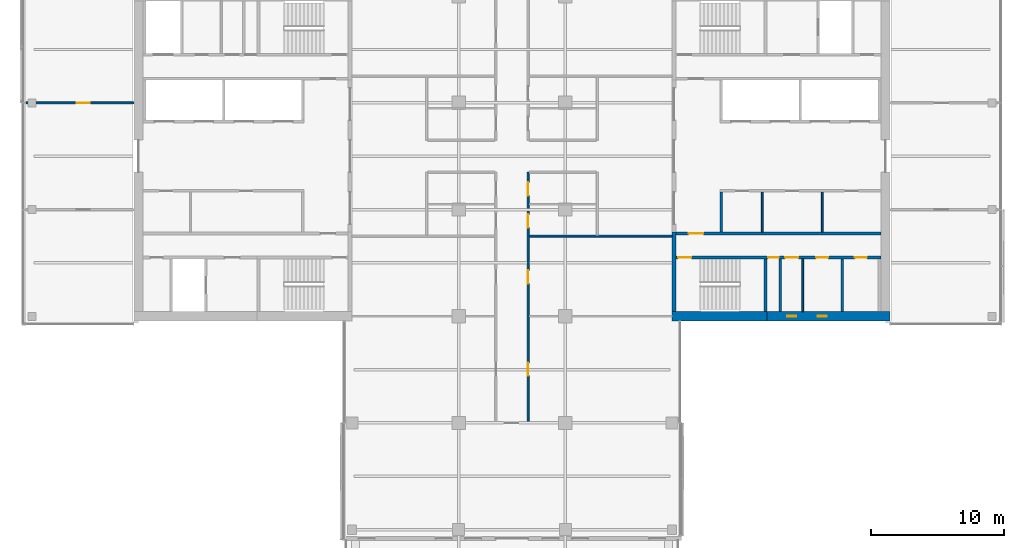
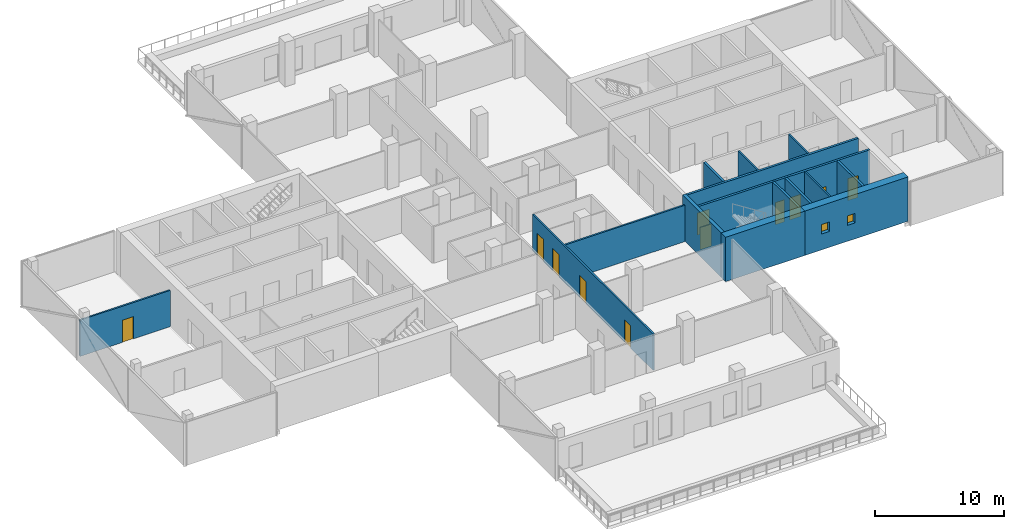
# One storey, part 16 of 24: 16 walls, 11 doors, 2 windows, 13 openings.
"""IFC4 building model written with IfcOpenShell, lengths in metres."""

import ifcopenshell
import ifcopenshell.guid

model = None  # the IFC model being written
_history = None  # IfcOwnerHistory: only IFC2X3 demands one
_inside = {}  # id of a spatial element -> (the spatial element, [elements in it])
_under = {}  # id of a project, library or spatial element -> (it, [spatial elements below it])
_declared = {}  # id of a project -> (the project, [libraries it declares])
_typed = {}  # id of a type object -> (the type object, [elements of that type])
_made_of = {}  # id of a material, layer set ... -> (it, [elements and type objects made of it])


def new_model(schema):
    """Start an empty IFC model of exactly this schema.

    Asked for "IFC4X3", IfcOpenShell would pick the latest addendum, in which some entities
    have other attributes; the version numbers below select the first issue.
    IFC2X3 requires an IfcOwnerHistory on every rooted entity: one is made here for all.
    """
    global model, _history
    if schema == "IFC4X3":
        model = ifcopenshell.file(schema_version=(4, 3, 0, 0))
    else:
        model = ifcopenshell.file(schema=schema)
    _inside.clear()
    _under.clear()
    _declared.clear()
    _typed.clear()
    _made_of.clear()
    _history = None
    if model.schema == "IFC2X3":
        org = make("IfcOrganization", Name="unknown")
        user = make(
            "IfcPersonAndOrganization",
            ThePerson=make("IfcPerson", FamilyName="unknown"),
            TheOrganization=org,
        )
        app = make(
            "IfcApplication",
            ApplicationDeveloper=org,
            Version="unknown",
            ApplicationFullName="unknown",
            ApplicationIdentifier="unknown",
        )
        _history = make(
            "IfcOwnerHistory",
            OwningUser=user,
            OwningApplication=app,
            ChangeAction="ADDED",
            CreationDate=0,
        )
    return model


def make(cls, **values):
    """One entity of the class cls with the attributes given. An attribute that is None is left unset."""
    return model.create_entity(
        cls, **{name: value for name, value in values.items() if value is not None}
    )


def rooted(cls, **values):
    """An entity with a GlobalId (a new one), such as an element, a storey or a relation."""
    return make(cls, GlobalId=ifcopenshell.guid.new(), OwnerHistory=_history, **values)


def si_unit(unit_type, name, prefix=None):
    """IfcSIUnit, for example si_unit("LENGTHUNIT", "METRE", prefix="MILLI")."""
    return make("IfcSIUnit", UnitType=unit_type, Prefix=prefix, Name=name)


def assignment(units):
    """IfcUnitAssignment: the units of a project."""
    return None if units is None else make("IfcUnitAssignment", Units=units)


def point(xyz):
    """IfcCartesianPoint."""
    return None if xyz is None else make("IfcCartesianPoint", Coordinates=xyz)


def direction(xyz):
    """IfcDirection."""
    return None if xyz is None else make("IfcDirection", DirectionRatios=xyz)


def frame(location, z_axis=None, x_axis=None):
    """IfcAxis2Placement3D, a coordinate frame: its origin and axes. An axis left out is left unset."""
    return make(
        "IfcAxis2Placement3D",
        Location=point(location),
        Axis=direction(z_axis),
        RefDirection=direction(x_axis),
    )


def frame_2d(location, x_axis=None):
    """IfcAxis2Placement2D, a coordinate frame in the plane: its origin and x axis."""
    return make(
        "IfcAxis2Placement2D", Location=point(location), RefDirection=direction(x_axis)
    )


def origin():
    """The frame at (0, 0, 0) with its axes left unset."""
    return frame((0.0, 0.0, 0.0))


def place(relative_to, where):
    """IfcLocalPlacement: puts the frame where relative to a parent placement (None: the world)."""
    return make(
        "IfcLocalPlacement", PlacementRelTo=relative_to, RelativePlacement=where
    )


def context(
    kind, dimensions, precision=None, world=None, true_north=None, identifier=None
):
    """IfcGeometricRepresentationContext, for example the 3D "Model" context."""
    return make(
        "IfcGeometricRepresentationContext",
        ContextIdentifier=identifier,
        ContextType=kind,
        CoordinateSpaceDimension=dimensions,
        Precision=precision,
        WorldCoordinateSystem=world,
        TrueNorth=true_north,
    )


def subcontext(parent, identifier, kind, view, scale=None):
    """IfcGeometricRepresentationSubContext, for example "Body" below "Model"."""
    return make(
        "IfcGeometricRepresentationSubContext",
        ContextIdentifier=identifier,
        ContextType=kind,
        ParentContext=parent,
        TargetScale=scale,
        TargetView=view,
    )


def project(units=None, contexts=None):
    """IfcProject with its units and contexts."""
    return rooted(
        "IfcProject",
        Name="project",
        RepresentationContexts=contexts,
        UnitsInContext=assignment(units),
    )


def spatial(cls, under=None, at=None, **own):
    """A site, building, storey or space (cls), placed at a placement, below another one or the project."""
    s = rooted(cls, ObjectPlacement=at, **own)
    if under is not None:
        _under.setdefault(under.id(), (under, []))[1].append(s)
    return s


def profile(cls, at=None, kind="AREA", **sizes):
    """A parametric profile (cls). Its sizes go by their IFC names, for example OverallWidth=200.0."""
    return make(cls, ProfileType=kind, Position=at, **sizes)


def rectangle(**sizes):
    """IfcRectangleProfileDef."""
    return profile("IfcRectangleProfileDef", **sizes)


def extrude(swept, where, along, depth):
    """IfcExtrudedAreaSolid: the profile swept, set in the frame where, extruded along a direction by depth."""
    return make(
        "IfcExtrudedAreaSolid",
        SweptArea=swept,
        Position=where,
        ExtrudedDirection=direction(along),
        Depth=depth,
    )


def shape(context_of_items, identifier, shape_type, items):
    """IfcShapeRepresentation: the items that make up one representation, for example the "Body"."""
    return make(
        "IfcShapeRepresentation",
        ContextOfItems=context_of_items,
        RepresentationIdentifier=identifier,
        RepresentationType=shape_type,
        Items=items,
    )


def material(Name=None, Category=None):
    """IfcMaterial."""
    return make("IfcMaterial", Name=Name, Category=Category)


def layer(
    of_material, thickness, ventilated=None, Name=None, Category=None, Priority=None
):
    """IfcMaterialLayer: one layer of a wall or slab, of a material (None: an air gap)."""
    return make(
        "IfcMaterialLayer",
        Material=of_material,
        LayerThickness=thickness,
        IsVentilated=ventilated,
        Name=Name,
        Category=Category,
        Priority=Priority,
    )


def layer_set(layers, Name=None):
    """IfcMaterialLayerSet."""
    return make("IfcMaterialLayerSet", MaterialLayers=layers, LayerSetName=Name)


def constituent(of_material, Name=None, Category=None, fraction=None):
    """IfcMaterialConstituent: one of the materials an element consists of."""
    return make(
        "IfcMaterialConstituent",
        Name=Name,
        Material=of_material,
        Fraction=fraction,
        Category=Category,
    )


def constituent_set(constituents=None, Name=None):
    """IfcMaterialConstituentSet."""
    return make(
        "IfcMaterialConstituentSet", Name=Name, MaterialConstituents=constituents
    )


def made_of(thing, what):
    """Note that an element or type object is made of a material, layer set ...; save() writes the relation."""
    if what is not None:
        _made_of.setdefault(what.id(), (what, []))[1].append(thing)
    return thing


def type_object(cls, material=None, **own):
    """A type object (cls), such as IfcWallType, which elements share."""
    return made_of(rooted(cls, **own), material)


def element(
    cls,
    number,
    at=None,
    inside=None,
    cuts=None,
    type_object=None,
    material=None,
    context=None,
    identifier="Body",
    shape_type=None,
    held_by="IfcProductDefinitionShape",
    body=None,
    shapes=None,
    **own,
):
    """One element of the class cls, such as IfcWall. Its Tag is "e" and its number.

    at: its placement. inside: the storey or other place that contains it. cuts: it is an
    opening in that element (IfcRelVoidsElement). A single representation is given by context,
    identifier, shape_type and body (its items); several are given by shapes. held_by: the class
    of the entity that holds the representations. save() writes the other relations.
    """
    e = rooted(cls, Tag="e%d" % number, ObjectPlacement=at, **own)
    if body is not None:
        shapes = [shape(context, identifier, shape_type, body)]
    if shapes is not None:
        e.Representation = make(held_by, Representations=shapes)
    if inside is not None:
        _inside.setdefault(inside.id(), (inside, []))[1].append(e)
    if cuts is not None:
        rooted(
            "IfcRelVoidsElement", RelatingBuildingElement=cuts, RelatedOpeningElement=e
        )
    if type_object is not None:
        _typed.setdefault(type_object.id(), (type_object, []))[1].append(e)
    return made_of(e, material)


def fill(opening, filler):
    """IfcRelFillsElement: the door or window that sits in an opening."""
    return rooted(
        "IfcRelFillsElement",
        RelatingOpeningElement=opening,
        RelatedBuildingElement=filler,
    )


def aggregate(whole, parts):
    """IfcRelAggregates: a whole, such as a stair, and the parts it consists of."""
    return rooted("IfcRelAggregates", RelatingObject=whole, RelatedObjects=parts)


def save(model, path):
    """Write the relations noted so far, then the file.

    IfcRelAggregates (storeys below a building ...), IfcRelContainedInSpatialStructure (elements
    in a storey), IfcRelDefinesByType, IfcRelAssociatesMaterial and IfcRelDeclares: one each for
    every whole, place, type object, material and project.
    """
    for whole, parts in _under.values():
        aggregate(whole, parts)
    for where, things in _inside.values():
        rooted(
            "IfcRelContainedInSpatialStructure",
            RelatedElements=things,
            RelatingStructure=where,
        )
    for kind, things in _typed.values():
        rooted("IfcRelDefinesByType", RelatedObjects=things, RelatingType=kind)
    for what, things in _made_of.values():
        rooted("IfcRelAssociatesMaterial", RelatedObjects=things, RelatingMaterial=what)
    for by, libraries in _declared.values():
        rooted("IfcRelDeclares", RelatingContext=by, RelatedDefinitions=libraries)
    model.write(path)


model = new_model("IFC4")

# Units and contexts
model_context = context("Model", 3, precision=1e-05, world=origin(), true_north=direction((0.0, 1.0)))
body_context = subcontext(model_context, "Body", "Model", "MODEL_VIEW")
ifc_project = project(units=[si_unit("LENGTHUNIT", "METRE"), si_unit("AREAUNIT", "SQUARE_METRE"), si_unit("VOLUMEUNIT", "CUBIC_METRE"), si_unit("PLANEANGLEUNIT", "RADIAN"), si_unit("MASSUNIT", "GRAM", prefix="KILO")], contexts=[model_context])

# Site, building, storey
site_placement = place(None, origin())
site = spatial("IfcSite", under=ifc_project, at=site_placement, CompositionType="ELEMENT")
building_placement = place(site_placement, origin())
building = spatial("IfcBuilding", under=site, at=building_placement, Name="Crosswind Convention Tower", CompositionType="ELEMENT")
storey_placement = place(building_placement, frame((0.0, 0.0, 112.699951171875)))
storey = spatial("IfcBuildingStorey", under=building, at=storey_placement, Name="L22", CompositionType="ELEMENT", Elevation=112.699951171875)

# Walls
ifc_material_1 = material(Name="Concrete blockwork", Category="masonry")
ifc_layer_1 = layer(ifc_material_1, 0.199951171875)
ifc_layer_set_1 = layer_set([ifc_layer_1], Name="Blockwork partition wall 200")
wall_type_1 = type_object("IfcWallType", Name="Blockwork partition wall 200", PredefinedType="PARTITIONING", material=ifc_layer_set_1)
wall_1_placement = place(storey_placement, frame((145.10009765625, 88.35009765625, 0.0), z_axis=(0.0, 0.0, 1.0), x_axis=(0.0, 1.0, 0.0)))
element("IfcWall", 1, at=wall_1_placement, inside=storey, type_object=wall_type_1, Name="Wall MRSE E L22", PredefinedType="PARTITIONING", context=body_context, shape_type="SweptSolid", body=[
    extrude(rectangle(XDim=3.949951171875, YDim=0.199951171875, at=frame_2d((1.97509765625, 0.0))), origin(), (0.0, 0.0, 1.0), 4.199951171875),
])
ifc_material_2 = material(Name="Concrete C50/60", Category="concrete")
ifc_layer_2 = layer(ifc_material_2, 0.300048828125)
ifc_layer_set_2 = layer_set([ifc_layer_2], Name="Concrete C50/60")
wall_type_2 = type_object("IfcWallType", Name="Concrete inner core wall 300", PredefinedType="SHEAR", material=ifc_layer_set_2)
wall_2_placement = place(storey_placement, frame((137.14990234375, 88.35009765625, 0.0), z_axis=(0.0, 0.0, 1.0), x_axis=(0.0, 1.0, 0.0)))
element("IfcWall", 2, at=wall_2_placement, inside=storey, type_object=wall_type_2, Name="Wall EM E L22", PredefinedType="SHEAR", context=body_context, shape_type="SweptSolid", body=[
    extrude(rectangle(XDim=5.949951171875, YDim=0.300048828125, at=frame_2d((2.97509765625, 0.0))), origin(), (0.0, 0.0, 1.0), 4.199951171875),
])
ifc_layer_3 = layer(ifc_material_2, 0.199951171875)
ifc_layer_set_3 = layer_set([ifc_layer_3], Name="Concrete C50/60")
wall_type_3 = type_object("IfcWallType", Name="Concrete shaft and stair wall 200", PredefinedType="SHEAR", material=ifc_layer_set_3)
wall_3_placement = place(storey_placement, frame((140.699951171875, 94.300048828125, 0.0), z_axis=(0.0, 0.0, 1.0), x_axis=(0.0, 1.0, 0.0)))
element("IfcWall", 3, at=wall_3_placement, inside=storey, type_object=wall_type_3, Name="Wall RMEND E L22", PredefinedType="SHEAR", context=body_context, shape_type="SweptSolid", body=[
    extrude(rectangle(XDim=3.0, YDim=0.199951171875, at=frame_2d((1.5, 0.0))), origin(), (0.0, 0.0, 1.0), 4.199951171875),
])

# Wall, opening, door
wall_4_placement = place(storey_placement, frame((137.300048828125, 94.199951171875, 0.0), z_axis=(0.0, 0.0, 1.0), x_axis=(1.0, 0.0, 0.0)))
wall_4 = element("IfcWall", 4, at=wall_4_placement, inside=storey, type_object=wall_type_3, Name="Wall HM E L22", PredefinedType="SHEAR", context=body_context, shape_type="SweptSolid", body=[
    extrude(rectangle(XDim=15.349853515625, YDim=0.199951171875, at=frame_2d((7.6748046875, 0.0))), origin(), (0.0, 0.0, 1.0), 4.199951171875),
])
opening_1_placement = place(wall_4_placement, frame((0.949951171875, 0.0, 0.0)))
opening_1 = element("IfcOpeningElement", 5, at=opening_1_placement, cuts=wall_4, Name="Opening D104", PredefinedType="OPENING", context=body_context, shape_type="SweptSolid", body=[
    extrude(rectangle(XDim=1.10009765625, YDim=2.10009765625, at=frame_2d((0.550048828125, 1.050048828125))), frame((0.0, 0.10986328125, 0.0), z_axis=(0.0, -1.0, 0.0), x_axis=(1.0, 0.0, 0.0)), (0.0, 0.0, 1.0), 0.219970703125),
])
ifc_material_3 = material(Name="Steel fire door", Category="steel")
door_type_1 = type_object("IfcDoorType", Name="Fire-rated single door 1100x2100", OperationType="NOTDEFINED", PredefinedType="DOOR", material=ifc_material_3)
door_1_placement = place(opening_1_placement, origin())
door_1 = element("IfcDoor", 6, at=door_1_placement, inside=storey, type_object=door_type_1, Name="Corridor door L22", ObjectType="D104", OperationType="SINGLE_SWING_LEFT", OverallHeight=2.10009765625, OverallWidth=1.10009765625, PredefinedType="DOOR", context=body_context, shape_type="SweptSolid", body=[
    extrude(rectangle(XDim=1.10009765625, YDim=2.10009765625, at=frame_2d((0.550048828125, 1.050048828125))), frame((0.0, 0.02490234375, 0.0), z_axis=(0.0, -1.0, 0.0), x_axis=(1.0, 0.0, 0.0)), (0.0, 0.0, 1.0), 0.050048828125),
])
fill(opening_1, door_1)

# Walls
for number, where, z_axis, x_axis, name in (
    (7, (144.0, 88.35009765625, 0.0), (0.0, 0.0, 1.0), (0.0, 1.0, 0.0), "Wall MSE E L22"),
    (8, (149.75, 88.35009765625, 0.0), (0.0, 0.0, 1.0), (0.0, 1.0, 0.0), "Wall MFSW E L22"),
):
    element("IfcWall", number, at=place(storey_placement, frame(where, z_axis=z_axis, x_axis=x_axis)), inside=storey, type_object=wall_type_3, Name=name, PredefinedType="SHEAR", context=body_context, shape_type="SweptSolid", body=[
        extrude(rectangle(XDim=3.949951171875, YDim=0.199951171875, at=frame_2d((1.97509765625, 0.0))), origin(), (0.0, 0.0, 1.0), 4.199951171875),
    ])

# Wall, opening, door
wall_5_placement = place(storey_placement, frame((137.300048828125, 92.39990234375, 0.0), z_axis=(0.0, 0.0, 1.0), x_axis=(1.0, 0.0, 0.0)))
wall_5 = element("IfcWall", 9, at=wall_5_placement, inside=storey, type_object=wall_type_3, Name="Wall MCW E L22", PredefinedType="SHEAR", context=body_context, shape_type="SweptSolid", body=[
    extrude(rectangle(XDim=6.800048828125, YDim=0.199951171875, at=frame_2d((3.39990234375, 0.0))), origin(), (0.0, 0.0, 1.0), 4.199951171875),
])
opening_2_placement = place(wall_5_placement, frame((0.14990234375, 0.0, 0.0)))
opening_2 = element("IfcOpeningElement", 10, at=opening_2_placement, cuts=wall_5, Name="Opening D103", PredefinedType="OPENING", context=body_context, shape_type="SweptSolid", body=[
    extrude(rectangle(XDim=1.0, YDim=2.10009765625, at=frame_2d((0.5, 1.050048828125))), frame((0.0, 0.10986328125, 0.0), z_axis=(0.0, -1.0, 0.0), x_axis=(1.0, 0.0, 0.0)), (0.0, 0.0, 1.0), 0.219970703125),
])
door_type_2 = type_object("IfcDoorType", Name="Fire-rated single door 1000x2100", OperationType="NOTDEFINED", PredefinedType="DOOR", material=ifc_material_3)
door_2_placement = place(opening_2_placement, frame((1.0, 0.0, 0.0), z_axis=(0.0, 0.0, 1.0), x_axis=(-1.0, 0.0, 0.0)))
door_2 = element("IfcDoor", 11, at=door_2_placement, inside=storey, type_object=door_type_2, Name="Stair ST2 door L22", ObjectType="D103", OperationType="SINGLE_SWING_RIGHT", OverallHeight=2.10009765625, OverallWidth=1.0, PredefinedType="DOOR", context=body_context, shape_type="SweptSolid", body=[
    extrude(rectangle(XDim=1.0, YDim=2.10009765625, at=frame_2d((0.5, 1.050048828125))), frame((0.0, 0.02490234375, 0.0), z_axis=(0.0, -1.0, 0.0), x_axis=(1.0, 0.0, 0.0)), (0.0, 0.0, 1.0), 0.050048828125),
])
fill(opening_2, door_2)

# Wall, openings, doors
wall_6_placement = place(storey_placement, frame((144.10009765625, 92.39990234375, 0.0), z_axis=(0.0, 0.0, 1.0), x_axis=(1.0, 0.0, 0.0)))
wall_6 = element("IfcWall", 12, at=wall_6_placement, inside=storey, type_object=wall_type_3, Name="Wall MCX E L22", PredefinedType="SHEAR", context=body_context, shape_type="SweptSolid", body=[
    extrude(rectangle(XDim=8.5498046875, YDim=0.199951171875, at=frame_2d((4.27490234375, 0.0))), origin(), (0.0, 0.0, 1.0), 4.199951171875),
])
opening_3_placement = place(wall_6_placement, frame((0.10009765625, 0.0, 0.0)))
opening_3 = element("IfcOpeningElement", 13, at=opening_3_placement, cuts=wall_6, Name="Opening D105", PredefinedType="OPENING", context=body_context, shape_type="SweptSolid", body=[
    extrude(rectangle(XDim=0.800048828125, YDim=2.10009765625, at=frame_2d((0.39990234375, 1.050048828125))), frame((0.0, 0.10986328125, 0.0), z_axis=(0.0, -1.0, 0.0), x_axis=(1.0, 0.0, 0.0)), (0.0, 0.0, 1.0), 0.219970703125),
])
opening_4_placement = place(wall_6_placement, frame((1.36962890625, 0.0, 0.0)))
opening_4 = element("IfcOpeningElement", 14, at=opening_4_placement, cuts=wall_6, Name="Opening D103", PredefinedType="OPENING", context=body_context, shape_type="SweptSolid", body=[
    extrude(rectangle(XDim=1.0, YDim=2.10009765625, at=frame_2d((0.5, 1.050048828125))), frame((0.0, 0.10986328125, 0.0), z_axis=(0.0, -1.0, 0.0), x_axis=(1.0, 0.0, 0.0)), (0.0, 0.0, 1.0), 0.219970703125),
])
opening_5_placement = place(wall_6_placement, frame((3.707275390625, 0.0, 0.0)))
opening_5 = element("IfcOpeningElement", 15, at=opening_5_placement, cuts=wall_6, Name="Opening D106", PredefinedType="OPENING", context=body_context, shape_type="SweptSolid", body=[
    extrude(rectangle(XDim=0.89990234375, YDim=2.10009765625, at=frame_2d((0.449951171875, 1.050048828125))), frame((0.0, 0.10986328125, 0.0), z_axis=(0.0, -1.0, 0.0), x_axis=(1.0, 0.0, 0.0)), (0.0, 0.0, 1.0), 0.219970703125),
])
opening_6_placement = place(wall_6_placement, frame((6.60009765625, 0.0, 0.0)))
opening_6 = element("IfcOpeningElement", 16, at=opening_6_placement, cuts=wall_6, Name="Opening D106", PredefinedType="OPENING", context=body_context, shape_type="SweptSolid", body=[
    extrude(rectangle(XDim=0.89990234375, YDim=2.10009765625, at=frame_2d((0.449951171875, 1.050048828125))), frame((0.0, 0.10986328125, 0.0), z_axis=(0.0, -1.0, 0.0), x_axis=(1.0, 0.0, 0.0)), (0.0, 0.0, 1.0), 0.219970703125),
])
door_3_placement = place(opening_4_placement, frame((1.0, 0.0, 0.0), z_axis=(0.0, 0.0, 1.0), x_axis=(-1.0, 0.0, 0.0)))
door_3 = element("IfcDoor", 17, at=door_3_placement, inside=storey, type_object=door_type_2, Name="Door to accessible wc L22", ObjectType="D103", OperationType="SINGLE_SWING_LEFT", OverallHeight=2.10009765625, OverallWidth=1.0, PredefinedType="DOOR", context=body_context, shape_type="SweptSolid", body=[
    extrude(rectangle(XDim=1.0, YDim=2.10009765625, at=frame_2d((0.5, 1.050048828125))), frame((0.0, 0.02490234375, 0.0), z_axis=(0.0, -1.0, 0.0), x_axis=(1.0, 0.0, 0.0)), (0.0, 0.0, 1.0), 0.050048828125),
])
fill(opening_4, door_3)
door_type_3 = type_object("IfcDoorType", Name="Riser access door 800x2100", OperationType="NOTDEFINED", PredefinedType="DOOR", material=ifc_material_3)
door_4_placement = place(opening_3_placement, frame((0.800048828125, 0.0, 0.0), z_axis=(0.0, 0.0, 1.0), x_axis=(-1.0, 0.0, 0.0)))
door_4 = element("IfcDoor", 18, at=door_4_placement, inside=storey, type_object=door_type_3, Name="Riser door L22", ObjectType="D105", OperationType="SINGLE_SWING_LEFT", OverallHeight=2.10009765625, OverallWidth=0.800048828125, PredefinedType="DOOR", context=body_context, shape_type="SweptSolid", body=[
    extrude(rectangle(XDim=0.800048828125, YDim=2.10009765625, at=frame_2d((0.39990234375, 1.050048828125))), frame((0.0, 0.02490234375, 0.0), z_axis=(0.0, -1.0, 0.0), x_axis=(1.0, 0.0, 0.0)), (0.0, 0.0, 1.0), 0.050048828125),
])
fill(opening_3, door_4)
ifc_material_4 = material(Name="Timber door", Category="wood")
door_type_4 = type_object("IfcDoorType", Name="Single leaf door 900x2100", OperationType="NOTDEFINED", PredefinedType="DOOR", material=ifc_material_4)
door_5_placement = place(opening_5_placement, frame((0.89990234375, 0.0, 0.0), z_axis=(0.0, 0.0, 1.0), x_axis=(-1.0, 0.0, 0.0)))
door_5 = element("IfcDoor", 19, at=door_5_placement, inside=storey, type_object=door_type_4, Name="Door to wc L22", ObjectType="D106", OperationType="SINGLE_SWING_LEFT", OverallHeight=2.10009765625, OverallWidth=0.89990234375, PredefinedType="DOOR", context=body_context, shape_type="SweptSolid", body=[
    extrude(rectangle(XDim=0.89990234375, YDim=2.10009765625, at=frame_2d((0.449951171875, 1.050048828125))), frame((0.0, 0.02490234375, 0.0), z_axis=(0.0, -1.0, 0.0), x_axis=(1.0, 0.0, 0.0)), (0.0, 0.0, 1.0), 0.050048828125),
])
fill(opening_5, door_5)
door_6_placement = place(opening_6_placement, frame((0.89990234375, 0.0, 0.0), z_axis=(0.0, 0.0, 1.0), x_axis=(-1.0, 0.0, 0.0)))
door_6 = element("IfcDoor", 20, at=door_6_placement, inside=storey, type_object=door_type_4, Name="Door to wc L22", ObjectType="D106", OperationType="SINGLE_SWING_LEFT", OverallHeight=2.10009765625, OverallWidth=0.89990234375, PredefinedType="DOOR", context=body_context, shape_type="SweptSolid", body=[
    extrude(rectangle(XDim=0.89990234375, YDim=2.10009765625, at=frame_2d((0.449951171875, 1.050048828125))), frame((0.0, 0.02490234375, 0.0), z_axis=(0.0, -1.0, 0.0), x_axis=(1.0, 0.0, 0.0)), (0.0, 0.0, 1.0), 0.050048828125),
])
fill(opening_6, door_6)

# Walls
ifc_material_5 = material(Name="Gypsum plasterboard partition", Category="gypsum")
ifc_layer_4 = layer(ifc_material_5, 0.125)
ifc_layer_set_4 = layer_set([ifc_layer_4], Name="Drywall partition wall 125")
wall_type_4 = type_object("IfcWallType", Name="Drywall partition wall 125", PredefinedType="PARTITIONING", material=ifc_layer_set_4)
for number, where, z_axis, x_axis, name in (
    (21, (143.762451171875, 94.300048828125, 0.0), (0.0, 0.0, 1.0), (0.0, 1.0, 0.0), "Wall RMP1 E L22"),
    (22, (148.265380859375, 94.300048828125, 0.0), (0.0, 0.0, 1.0), (0.0, 1.0, 0.0), "Wall RMP2 E L22"),
):
    element("IfcWall", number, at=place(storey_placement, frame(where, z_axis=z_axis, x_axis=x_axis)), inside=storey, type_object=wall_type_4, Name=name, PredefinedType="PARTITIONING", context=body_context, shape_type="SweptSolid", body=[
        extrude(rectangle(XDim=3.0, YDim=0.125, at=frame_2d((1.5, 0.0))), origin(), (0.0, 0.0, 1.0), 4.199951171875),
    ])
wall_7_placement = place(storey_placement, frame((146.802001953125, 88.35009765625, 0.0), z_axis=(0.0, 0.0, 1.0), x_axis=(0.0, 1.0, 0.0)))
element("IfcWall", 23, at=wall_7_placement, inside=storey, type_object=wall_type_4, Name="Wall MWP1 E L22", PredefinedType="PARTITIONING", context=body_context, shape_type="SweptSolid", body=[
    extrude(rectangle(XDim=3.949951171875, YDim=0.125, at=frame_2d((1.97509765625, 0.0))), origin(), (0.0, 0.0, 1.0), 4.199951171875),
])

# Wall, openings, doors
ifc_material_6 = material(Name="Fire-board partition with mineral wool", Category="gypsum")
ifc_layer_5 = layer(ifc_material_6, 0.14990234375)
ifc_layer_set_5 = layer_set([ifc_layer_5], Name="TENANCY WALL 150 TWO-HOUR BOARD")
wall_type_5 = type_object("IfcWallType", Name="TENANCY WALL 150 TWO-HOUR BOARD", PredefinedType="PARTITIONING", material=ifc_layer_set_5)
wall_8_placement = place(storey_placement, frame((126.199951171875, 80.074951171875, 0.0), z_axis=(0.0, 0.0, 1.0), x_axis=(0.0, 1.0, 0.0)))
wall_8 = element("IfcWall", 24, at=wall_8_placement, inside=storey, type_object=wall_type_5, Name="Tenancy wall WT41", PredefinedType="PARTITIONING", context=body_context, shape_type="SweptSolid", body=[
    extrude(rectangle(XDim=18.72509765625, YDim=0.14990234375, at=frame_2d((9.362548828125, 0.0))), origin(), (0.0, 0.0, 1.0), 3.4365234375),
])
opening_7_placement = place(wall_8_placement, frame((16.97509765625, 0.0, 0.0)))
opening_7 = element("IfcOpeningElement", 25, at=opening_7_placement, cuts=wall_8, Name="Opening L22-53", PredefinedType="OPENING", context=body_context, shape_type="SweptSolid", body=[
    extrude(rectangle(XDim=1.0, YDim=2.10009765625, at=frame_2d((0.5, 1.050048828125))), frame((0.0, 0.0849609375, 0.0), z_axis=(0.0, -1.0, 0.0), x_axis=(1.0, 0.0, 0.0)), (0.0, 0.0, 1.0), 0.169921875),
])
opening_8_placement = place(wall_8_placement, frame((14.574951171875, 0.0, 0.0)))
opening_8 = element("IfcOpeningElement", 26, at=opening_8_placement, cuts=wall_8, Name="Opening L22-54", PredefinedType="OPENING", context=body_context, shape_type="SweptSolid", body=[
    extrude(rectangle(XDim=1.0, YDim=2.10009765625, at=frame_2d((0.5, 1.050048828125))), frame((0.0, 0.0849609375, 0.0), z_axis=(0.0, -1.0, 0.0), x_axis=(1.0, 0.0, 0.0)), (0.0, 0.0, 1.0), 0.169921875),
])
opening_9_placement = place(wall_8_placement, frame((10.375, 0.0, 0.0)))
opening_9 = element("IfcOpeningElement", 27, at=opening_9_placement, cuts=wall_8, Name="Opening L22-55", PredefinedType="OPENING", context=body_context, shape_type="SweptSolid", body=[
    extrude(rectangle(XDim=1.0, YDim=2.10009765625, at=frame_2d((0.5, 1.050048828125))), frame((0.0, 0.0849609375, 0.0), z_axis=(0.0, -1.0, 0.0), x_axis=(1.0, 0.0, 0.0)), (0.0, 0.0, 1.0), 0.169921875),
])
opening_10_placement = place(wall_8_placement, frame((3.449951171875, 0.0, 0.0)))
opening_10 = element("IfcOpeningElement", 28, at=opening_10_placement, cuts=wall_8, Name="Opening L22-56", PredefinedType="OPENING", context=body_context, shape_type="SweptSolid", body=[
    extrude(rectangle(XDim=1.0, YDim=2.10009765625, at=frame_2d((0.5, 1.050048828125))), frame((0.0, 0.0849609375, 0.0), z_axis=(0.0, -1.0, 0.0), x_axis=(1.0, 0.0, 0.0)), (0.0, 0.0, 1.0), 0.169921875),
])
ifc_material_7 = material(Name="Timber fire door", Category="wood")
door_type_5 = type_object("IfcDoorType", Name="TENANCY ENTRANCE DOOR 1000X2100 FD30S", OperationType="NOTDEFINED", PredefinedType="DOOR", material=ifc_material_7)
door_7_placement = place(opening_7_placement, frame((1.0, 0.0, 0.0), z_axis=(0.0, 0.0, 1.0), x_axis=(-1.0, 0.0, 0.0)))
door_7 = element("IfcDoor", 29, at=door_7_placement, inside=storey, type_object=door_type_5, Name="Door L22-53", ObjectType="D41", OperationType="SINGLE_SWING_RIGHT", OverallHeight=2.10009765625, OverallWidth=1.0, PredefinedType="DOOR", context=body_context, shape_type="SweptSolid", body=[
    extrude(rectangle(XDim=1.0, YDim=2.10009765625, at=frame_2d((0.5, 1.050048828125))), frame((0.0, 0.02490234375, 0.0), z_axis=(0.0, -1.0, 0.0), x_axis=(1.0, 0.0, 0.0)), (0.0, 0.0, 1.0), 0.050048828125),
])
fill(opening_7, door_7)
door_8_placement = place(opening_8_placement, frame((1.0, 0.0, 0.0), z_axis=(0.0, 0.0, 1.0), x_axis=(-1.0, 0.0, 0.0)))
door_8 = element("IfcDoor", 30, at=door_8_placement, inside=storey, type_object=door_type_5, Name="Door L22-54", ObjectType="D41", OperationType="SINGLE_SWING_RIGHT", OverallHeight=2.10009765625, OverallWidth=1.0, PredefinedType="DOOR", context=body_context, shape_type="SweptSolid", body=[
    extrude(rectangle(XDim=1.0, YDim=2.10009765625, at=frame_2d((0.5, 1.050048828125))), frame((0.0, 0.02490234375, 0.0), z_axis=(0.0, -1.0, 0.0), x_axis=(1.0, 0.0, 0.0)), (0.0, 0.0, 1.0), 0.050048828125),
])
fill(opening_8, door_8)
door_9_placement = place(opening_9_placement, frame((1.0, 0.0, 0.0), z_axis=(0.0, 0.0, 1.0), x_axis=(-1.0, 0.0, 0.0)))
door_9 = element("IfcDoor", 31, at=door_9_placement, inside=storey, type_object=door_type_5, Name="Door L22-55", ObjectType="D41", OperationType="SINGLE_SWING_RIGHT", OverallHeight=2.10009765625, OverallWidth=1.0, PredefinedType="DOOR", context=body_context, shape_type="SweptSolid", body=[
    extrude(rectangle(XDim=1.0, YDim=2.10009765625, at=frame_2d((0.5, 1.050048828125))), frame((0.0, 0.02490234375, 0.0), z_axis=(0.0, -1.0, 0.0), x_axis=(1.0, 0.0, 0.0)), (0.0, 0.0, 1.0), 0.050048828125),
])
fill(opening_9, door_9)
door_10_placement = place(opening_10_placement, frame((1.0, 0.0, 0.0), z_axis=(0.0, 0.0, 1.0), x_axis=(-1.0, 0.0, 0.0)))
door_10 = element("IfcDoor", 32, at=door_10_placement, inside=storey, type_object=door_type_5, Name="Door L22-56", ObjectType="D41", OperationType="SINGLE_SWING_LEFT", OverallHeight=2.10009765625, OverallWidth=1.0, PredefinedType="DOOR", context=body_context, shape_type="SweptSolid", body=[
    extrude(rectangle(XDim=1.0, YDim=2.10009765625, at=frame_2d((0.5, 1.050048828125))), frame((0.0, 0.02490234375, 0.0), z_axis=(0.0, -1.0, 0.0), x_axis=(1.0, 0.0, 0.0)), (0.0, 0.0, 1.0), 0.050048828125),
])
fill(opening_10, door_10)

# Wall
wall_9_placement = place(storey_placement, frame((126.27490234375, 94.0, 0.0), z_axis=(0.0, 0.0, 1.0), x_axis=(1.0, 0.0, 0.0)))
element("IfcWall", 33, at=wall_9_placement, inside=storey, type_object=wall_type_5, Name="Tenancy wall WT41", PredefinedType="PARTITIONING", context=body_context, shape_type="SweptSolid", body=[
    extrude(rectangle(XDim=10.72509765625, YDim=0.14990234375, at=frame_2d((5.362548828125, 0.0))), origin(), (0.0, 0.0, 1.0), 3.4365234375),
])

# Wall, opening, door
wall_10_placement = place(storey_placement, frame((88.580078125, 104.0, 0.0), z_axis=(0.0, 0.0, 1.0), x_axis=(1.0, 0.0, 0.0)))
wall_10 = element("IfcWall", 34, at=wall_10_placement, inside=storey, type_object=wall_type_5, Name="Tenancy wall WT41", PredefinedType="PARTITIONING", context=body_context, shape_type="SweptSolid", body=[
    extrude(rectangle(XDim=8.06982421875, YDim=0.14990234375, at=frame_2d((4.034912109375, 0.0))), origin(), (0.0, 0.0, 1.0), 3.4365234375),
])
opening_11_placement = place(wall_10_placement, frame((3.77001953125, 0.0, 0.0)))
opening_11 = element("IfcOpeningElement", 35, at=opening_11_placement, cuts=wall_10, Name="Opening L22-70", PredefinedType="OPENING", context=body_context, shape_type="SweptSolid", body=[
    extrude(rectangle(XDim=1.0, YDim=2.10009765625, at=frame_2d((0.5, 1.050048828125))), frame((0.0, 0.0849609375, 0.0), z_axis=(0.0, -1.0, 0.0), x_axis=(1.0, 0.0, 0.0)), (0.0, 0.0, 1.0), 0.169921875),
])
door_11_placement = place(opening_11_placement, origin())
door_11 = element("IfcDoor", 36, at=door_11_placement, inside=storey, type_object=door_type_5, Name="Door L22-70", ObjectType="D41", OperationType="SINGLE_SWING_LEFT", OverallHeight=2.10009765625, OverallWidth=1.0, PredefinedType="DOOR", context=body_context, shape_type="SweptSolid", body=[
    extrude(rectangle(XDim=1.0, YDim=2.10009765625, at=frame_2d((0.5, 1.050048828125))), frame((0.0, 0.02490234375, 0.0), z_axis=(0.0, -1.0, 0.0), x_axis=(1.0, 0.0, 0.0)), (0.0, 0.0, 1.0), 0.050048828125),
])
fill(opening_11, door_11)

# Wall
ifc_material_8 = material(Name="Concrete C60/75", Category="concrete")
ifc_constituent_1 = constituent(ifc_material_8, Name="Structure")
ifc_material_9 = material(Name="Terracotta rainscreen", Category="ceramic")
ifc_constituent_2 = constituent(ifc_material_9, Name="Facing")
ifc_constituent_set = constituent_set(constituents=[ifc_constituent_1, ifc_constituent_2], Name="Concrete C60/75, Terracotta rainscreen")
wall_type_6 = type_object("IfcWallType", Name="Terracotta rainscreen on concrete core wall 700", PredefinedType="SHEAR", material=ifc_constituent_set)
wall_11_placement = place(storey_placement, frame((137.0, 88.0, 0.0), z_axis=(0.0, 0.0, 1.0), x_axis=(1.0, 0.0, 0.0)))
element("IfcWall", 37, at=wall_11_placement, inside=storey, type_object=wall_type_6, Name="Wall S1 E L22", PredefinedType="SHEAR", context=body_context, shape_type="SweptSolid", body=[
    extrude(rectangle(XDim=7.10009765625, YDim=0.699951171875, at=frame_2d((3.550048828125, 0.0))), origin(), (0.0, 0.0, 1.0), 4.199951171875),
])

# Wall, openings, windows
wall_12_placement = place(storey_placement, frame((144.10009765625, 88.0, 0.0), z_axis=(0.0, 0.0, 1.0), x_axis=(1.0, 0.0, 0.0)))
wall_12 = element("IfcWall", 38, at=wall_12_placement, inside=storey, type_object=wall_type_6, Name="Wall S2 E L22", PredefinedType="SHEAR", context=body_context, shape_type="SweptSolid", body=[
    extrude(rectangle(XDim=9.25, YDim=0.699951171875, at=frame_2d((4.625, 0.0))), origin(), (0.0, 0.0, 1.0), 4.199951171875),
])
opening_12_placement = place(wall_12_placement, frame((1.519775390625, 0.0, 1.5)))
opening_12 = element("IfcOpeningElement", 39, at=opening_12_placement, cuts=wall_12, Name="Opening W2", PredefinedType="OPENING", context=body_context, shape_type="SweptSolid", body=[
    extrude(rectangle(XDim=0.699951171875, YDim=0.89990234375, at=frame_2d((0.35009765625, 0.449951171875))), frame((0.0, 0.35986328125, 0.0), z_axis=(0.0, -1.0, 0.0), x_axis=(1.0, 0.0, 0.0)), (0.0, 0.0, 1.0), 0.719970703125),
])
opening_13_placement = place(wall_12_placement, frame((3.80712890625, 0.0, 1.5)))
opening_13 = element("IfcOpeningElement", 40, at=opening_13_placement, cuts=wall_12, Name="Opening W2", PredefinedType="OPENING", context=body_context, shape_type="SweptSolid", body=[
    extrude(rectangle(XDim=0.699951171875, YDim=0.89990234375, at=frame_2d((0.35009765625, 0.449951171875))), frame((0.0, 0.35986328125, 0.0), z_axis=(0.0, -1.0, 0.0), x_axis=(1.0, 0.0, 0.0)), (0.0, 0.0, 1.0), 0.719970703125),
])
ifc_material_10 = material(Name="Obscure glass in aluminium frame", Category="aluminium")
window_type = type_object("IfcWindowType", Name="WC window 700x900", PartitioningType="SINGLE_PANEL", PredefinedType="WINDOW", material=ifc_material_10)
window_1_placement = place(opening_12_placement, origin())
window_1 = element("IfcWindow", 41, at=window_1_placement, inside=storey, type_object=window_type, Name="WC window L22", ObjectType="W2", OverallHeight=0.89990234375, OverallWidth=0.699951171875, PartitioningType="SINGLE_PANEL", PredefinedType="WINDOW", context=body_context, shape_type="SweptSolid", body=[
    extrude(rectangle(XDim=0.699951171875, YDim=0.89990234375, at=frame_2d((0.35009765625, 0.449951171875))), frame((0.0, 0.030029296875, 0.0), z_axis=(0.0, -1.0, 0.0), x_axis=(1.0, 0.0, 0.0)), (0.0, 0.0, 1.0), 0.06005859375),
])
fill(opening_12, window_1)
window_2_placement = place(opening_13_placement, origin())
window_2 = element("IfcWindow", 42, at=window_2_placement, inside=storey, type_object=window_type, Name="WC window L22", ObjectType="W2", OverallHeight=0.89990234375, OverallWidth=0.699951171875, PartitioningType="SINGLE_PANEL", PredefinedType="WINDOW", context=body_context, shape_type="SweptSolid", body=[
    extrude(rectangle(XDim=0.699951171875, YDim=0.89990234375, at=frame_2d((0.35009765625, 0.449951171875))), frame((0.0, 0.030029296875, 0.0), z_axis=(0.0, -1.0, 0.0), x_axis=(1.0, 0.0, 0.0)), (0.0, 0.0, 1.0), 0.06005859375),
])
fill(opening_13, window_2)

save(model, "model.ifc")
